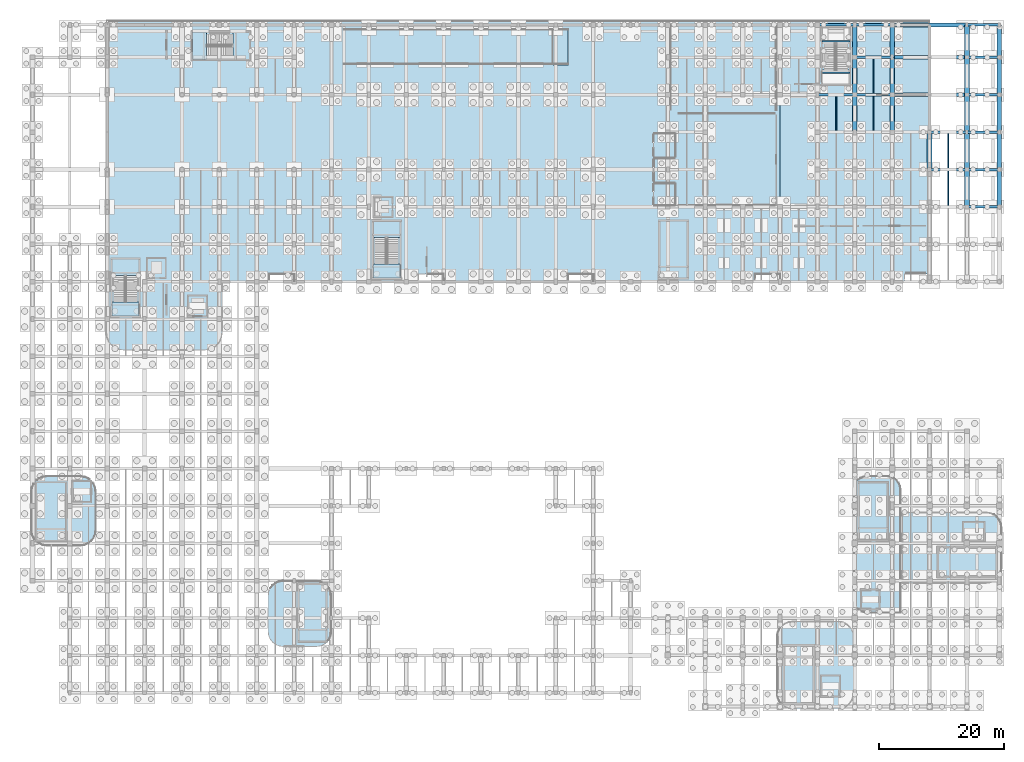
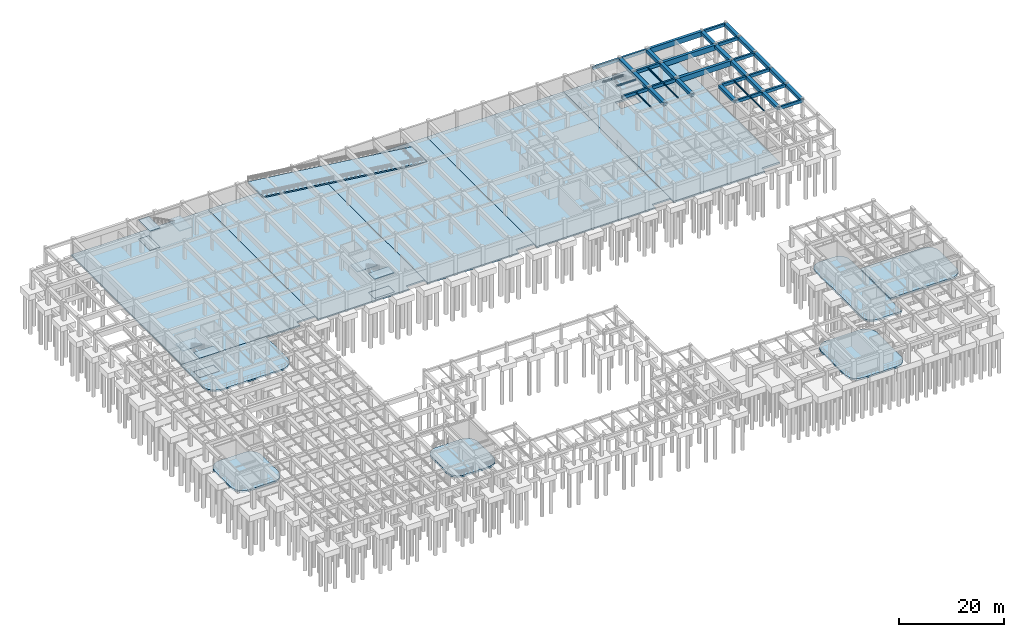
# One storey, part 16 of 32: 40 beams, 21 slabs, 3 elements without a shape of their own.
"""IFC4 building model written with IfcOpenShell, lengths in metres."""

from ifc_helpers import new_model, si_unit, direction, frame, origin, origin_2d, place, context, subcontext, project, spatial, polyline, rectangle, i_section, outline, extrude, material, layer, layer_set, material_profile, profile_set, type_object, element, aggregate, save


model = new_model("IFC4")

# Units and contexts
model_context = context("Model", 3, precision=1e-05, world=origin(), true_north=direction((0.0, 1.0)))
body_context = subcontext(model_context, "Body", "Model", "MODEL_VIEW")
ifc_project = project(units=[si_unit("LENGTHUNIT", "METRE"), si_unit("AREAUNIT", "SQUARE_METRE"), si_unit("VOLUMEUNIT", "CUBIC_METRE"), si_unit("PLANEANGLEUNIT", "RADIAN"), si_unit("MASSUNIT", "GRAM", prefix="KILO")], contexts=[model_context])

# Site, building, storey
site_placement = place(None, origin())
site = spatial("IfcSite", under=ifc_project, at=site_placement, CompositionType="ELEMENT")
building_placement = place(site_placement, origin())
building = spatial("IfcBuilding", under=site, at=building_placement, Name="Varnakota Square Police Headquarters", CompositionType="ELEMENT")
storey_placement = place(building_placement, frame((0.0, 0.0, -4.5)))
storey = spatial("IfcBuildingStorey", under=building, at=storey_placement, Name="B1", CompositionType="ELEMENT", Elevation=-4.5)

# Beams
ifc_material_1 = material(Name="Steel IS 2062 Grade 350", Category="steel")
ifc_material_profile_1 = material_profile(ifc_material_1, i_section(OverallWidth=0.25, OverallDepth=0.300048828125, WebThickness=0.009521484375, FlangeThickness=0.010498046875, FilletRadius=0.011962890625, at=origin_2d()), Name="ISHB 300")
ifc_profile_set_1 = profile_set([ifc_material_profile_1], Name="Steel IS 2062 Grade 350")
beam_type_1 = type_object("IfcBeamType", Name="BM-ISHB300", PredefinedType="BEAM", material=ifc_profile_set_1)
for number, where, z_axis, x_axis, name in (
    (1, (132.699951171875, 107.6005859375, 1.94189453125), (1.0, 0.0, 0.0), (0.0, 1.0, 0.0), "Stair landing support beam BM-LND-0087"),
    (2, (132.699951171875, 102.5, 4.10009765625), (1.0, 0.0, 0.0), (0.0, 1.0, 0.0), "Stair landing support beam BM-LND-0088"),
):
    element("IfcBeam", number, at=place(storey_placement, frame(where, z_axis=z_axis, x_axis=x_axis)), inside=storey, type_object=beam_type_1, Name=name, PredefinedType="BEAM", context=body_context, shape_type="SweptSolid", body=[
        extrude(i_section(OverallWidth=0.25, OverallDepth=0.300048828125, WebThickness=0.009521484375, FlangeThickness=0.010498046875, FilletRadius=0.011962890625, at=origin_2d()), origin(), (0.0, 0.0, 1.0), 4.5),
    ])
ifc_material_profile_2 = material_profile(ifc_material_1, i_section(OverallWidth=0.139892578125, OverallDepth=0.300048828125, WebThickness=0.0078125, FlangeThickness=0.01318359375, FilletRadius=0.013916015625, at=origin_2d()), Name="ISMB 300")
ifc_profile_set_2 = profile_set([ifc_material_profile_2], Name="Steel IS 2062 Grade 350")
beam_type_2 = type_object("IfcBeamType", Name="BM-ISMB300", PredefinedType="JOIST", material=ifc_profile_set_2)
for number, where, z_axis, x_axis, name in (
    (3, (141.0, 93.197998046875, 4.050048828125), (0.0, 1.0, 0.0), (-1.0, 0.0, 0.0), "BMG-B1-0665"),
    (4, (153.0, 81.197998046875, 4.050048828125), (0.0, 1.0, 0.0), (-1.0, 0.0, 0.0), "BMG-B1-0684"),
):
    element("IfcBeam", number, at=place(storey_placement, frame(where, z_axis=z_axis, x_axis=x_axis)), inside=storey, type_object=beam_type_2, Name=name, PredefinedType="JOIST", context=body_context, shape_type="SweptSolid", body=[
        extrude(i_section(OverallWidth=0.139892578125, OverallDepth=0.300048828125, WebThickness=0.0078125, FlangeThickness=0.01318359375, FilletRadius=0.013916015625, at=origin_2d()), origin(), (0.0, 0.0, 1.0), 5.60400390625),
    ])
ifc_material_profile_3 = material_profile(ifc_material_1, i_section(OverallWidth=0.139892578125, OverallDepth=0.35009765625, WebThickness=0.008056640625, FlangeThickness=0.01416015625, FilletRadius=0.013916015625, at=origin_2d()), Name="ISMB 350")
ifc_profile_set_3 = profile_set([ifc_material_profile_3], Name="Steel IS 2062 Grade 350")
beam_type_3 = type_object("IfcBeamType", Name="BM-ISMB350", PredefinedType="JOIST", material=ifc_profile_set_3)
beam_1_placement = place(storey_placement, frame((135.0, 93.197998046875, 4.02490234375), z_axis=(0.0, 1.0, 0.0), x_axis=(-1.0, 0.0, 0.0)))
element("IfcBeam", 5, at=beam_1_placement, inside=storey, type_object=beam_type_3, Name="BMG-B1-0657", PredefinedType="JOIST", context=body_context, shape_type="SweptSolid", body=[
    extrude(i_section(OverallWidth=0.139892578125, OverallDepth=0.35009765625, WebThickness=0.008056640625, FlangeThickness=0.01416015625, FilletRadius=0.013916015625, at=origin_2d()), origin(), (0.0, 0.0, 1.0), 5.60400390625),
])
ifc_material_profile_4 = material_profile(ifc_material_1, i_section(OverallWidth=0.139892578125, OverallDepth=0.39990234375, WebThickness=0.0087890625, FlangeThickness=0.01611328125, FilletRadius=0.013916015625, at=origin_2d()), Name="ISMB 400")
ifc_profile_set_4 = profile_set([ifc_material_profile_4], Name="Steel IS 2062 Grade 350")
beam_type_4 = type_object("IfcBeamType", Name="BM-ISMB400", PredefinedType="JOIST", material=ifc_profile_set_4)
for number, where, z_axis, x_axis, name in (
    (6, (141.0, 99.197998046875, 4.0), (0.0, 1.0, 0.0), (-1.0, 0.0, 0.0), "BMG-B1-0666"),
    (7, (153.0, 87.197998046875, 4.0), (0.0, 1.0, 0.0), (-1.0, 0.0, 0.0), "BMG-B1-0685"),
):
    element("IfcBeam", number, at=place(storey_placement, frame(where, z_axis=z_axis, x_axis=x_axis)), inside=storey, type_object=beam_type_4, Name=name, PredefinedType="JOIST", context=body_context, shape_type="SweptSolid", body=[
        extrude(i_section(OverallWidth=0.139892578125, OverallDepth=0.39990234375, WebThickness=0.0087890625, FlangeThickness=0.01611328125, FilletRadius=0.013916015625, at=origin_2d()), origin(), (0.0, 0.0, 1.0), 5.60400390625),
    ])
ifc_material_2 = material(Name="Concrete M40", Category="concrete")
ifc_material_profile_5 = material_profile(ifc_material_2, rectangle(XDim=0.39990234375, YDim=0.699951171875, at=origin_2d()), Name="RC 400x700")
ifc_profile_set_5 = profile_set([ifc_material_profile_5], Name="Concrete M40")
beam_type_5 = type_object("IfcBeamType", Name="BM-RC400x700", PredefinedType="BEAM", material=ifc_profile_set_5)
beam_2_placement = place(storey_placement, frame((156.0, 81.0, 3.85009765625), z_axis=(1.0, 0.0, 0.0), x_axis=(0.0, 1.0, 0.0)))
element("IfcBeam", 8, at=beam_2_placement, inside=storey, type_object=beam_type_5, Name="BMG-B1-0200", PredefinedType="BEAM", context=body_context, shape_type="SweptSolid", body=[
    extrude(rectangle(XDim=0.39990234375, YDim=0.699951171875, at=origin_2d()), origin(), (0.0, 0.0, 1.0), 5.199951171875),
])
beam_3_placement = place(storey_placement, frame((150.0, 87.0, 3.85009765625), z_axis=(1.0, 0.0, 0.0), x_axis=(0.0, 1.0, 0.0)))
element("IfcBeam", 9, at=beam_3_placement, inside=storey, type_object=beam_type_5, Name="BMG-B1-0219", PredefinedType="BEAM", context=body_context, shape_type="SweptSolid", body=[
    extrude(rectangle(XDim=0.39990234375, YDim=0.699951171875, at=origin_2d()), origin(), (0.0, 0.0, 1.0), 6.0),
])
beam_4_placement = place(storey_placement, frame((156.0, 87.0, 3.85009765625), z_axis=(1.0, 0.0, 0.0), x_axis=(0.0, 1.0, 0.0)))
element("IfcBeam", 10, at=beam_4_placement, inside=storey, type_object=beam_type_5, Name="BMG-B1-0220", PredefinedType="BEAM", context=body_context, shape_type="SweptSolid", body=[
    extrude(rectangle(XDim=0.39990234375, YDim=0.699951171875, at=origin_2d()), origin(), (0.0, 0.0, 1.0), 5.199951171875),
])
beam_5_placement = place(storey_placement, frame((150.0, 93.0, 3.85009765625), z_axis=(1.0, 0.0, 0.0), x_axis=(0.0, 1.0, 0.0)))
element("IfcBeam", 11, at=beam_5_placement, inside=storey, type_object=beam_type_5, Name="BMG-B1-0225", PredefinedType="BEAM", context=body_context, shape_type="SweptSolid", body=[
    extrude(rectangle(XDim=0.39990234375, YDim=0.699951171875, at=origin_2d()), origin(), (0.0, 0.0, 1.0), 6.0),
])
beam_6_placement = place(storey_placement, frame((156.0, 93.0, 3.85009765625), z_axis=(1.0, 0.0, 0.0), x_axis=(0.0, 1.0, 0.0)))
element("IfcBeam", 12, at=beam_6_placement, inside=storey, type_object=beam_type_5, Name="BMG-B1-0226", PredefinedType="BEAM", context=body_context, shape_type="SweptSolid", body=[
    extrude(rectangle(XDim=0.39990234375, YDim=0.699951171875, at=origin_2d()), origin(), (0.0, 0.0, 1.0), 5.199951171875),
])
for number, where, z_axis, x_axis, name in (
    (13, (132.0, 99.0, 3.85009765625), (1.0, 0.0, 0.0), (0.0, 1.0, 0.0), "BMG-B1-0245"),
    (14, (138.0, 99.0, 3.85009765625), (1.0, 0.0, 0.0), (0.0, 1.0, 0.0), "BMG-B1-0246"),
):
    element("IfcBeam", number, at=place(storey_placement, frame(where, z_axis=z_axis, x_axis=x_axis)), inside=storey, type_object=beam_type_5, Name=name, PredefinedType="BEAM", context=body_context, shape_type="SweptSolid", body=[
        extrude(rectangle(XDim=0.39990234375, YDim=0.699951171875, at=origin_2d()), origin(), (0.0, 0.0, 1.0), 6.0),
    ])
beam_7_placement = place(storey_placement, frame((156.0, 99.0, 3.85009765625), z_axis=(1.0, 0.0, 0.0), x_axis=(0.0, 1.0, 0.0)))
element("IfcBeam", 15, at=beam_7_placement, inside=storey, type_object=beam_type_5, Name="BMG-B1-0248", PredefinedType="BEAM", context=body_context, shape_type="SweptSolid", body=[
    extrude(rectangle(XDim=0.39990234375, YDim=0.699951171875, at=origin_2d()), origin(), (0.0, 0.0, 1.0), 5.199951171875),
])
beam_8_placement = place(storey_placement, frame((138.0, 105.0, 3.85009765625), z_axis=(1.0, 0.0, 0.0), x_axis=(0.0, 1.0, 0.0)))
element("IfcBeam", 16, at=beam_8_placement, inside=storey, type_object=beam_type_5, Name="BMG-B1-0257", PredefinedType="BEAM", context=body_context, shape_type="SweptSolid", body=[
    extrude(rectangle(XDim=0.39990234375, YDim=0.699951171875, at=origin_2d()), origin(), (0.0, 0.0, 1.0), 6.0),
])
beam_9_placement = place(storey_placement, frame((156.0, 105.0, 3.85009765625), z_axis=(1.0, 0.0, 0.0), x_axis=(0.0, 1.0, 0.0)))
element("IfcBeam", 17, at=beam_9_placement, inside=storey, type_object=beam_type_5, Name="BMG-B1-0259", PredefinedType="BEAM", context=body_context, shape_type="SweptSolid", body=[
    extrude(rectangle(XDim=0.39990234375, YDim=0.699951171875, at=origin_2d()), origin(), (0.0, 0.0, 1.0), 5.199951171875),
])
for number, where, z_axis, x_axis, name in (
    (18, (132.0, 110.199951171875, 3.85009765625), (1.0, 0.0, 0.0), (0.0, 1.0, 0.0), "BMG-B1-0279"),
    (19, (138.0, 110.199951171875, 3.85009765625), (1.0, 0.0, 0.0), (0.0, 1.0, 0.0), "BMG-B1-0280"),
):
    element("IfcBeam", number, at=place(storey_placement, frame(where, z_axis=z_axis, x_axis=x_axis)), inside=storey, type_object=beam_type_5, Name=name, PredefinedType="BEAM", context=body_context, shape_type="SweptSolid", body=[
        extrude(rectangle(XDim=0.39990234375, YDim=0.699951171875, at=origin_2d()), origin(), (0.0, 0.0, 1.0), 6.0),
    ])
beam_10_placement = place(storey_placement, frame((156.0, 110.199951171875, 3.85009765625), z_axis=(1.0, 0.0, 0.0), x_axis=(0.0, 1.0, 0.0)))
element("IfcBeam", 20, at=beam_10_placement, inside=storey, type_object=beam_type_5, Name="BMG-B1-0282", PredefinedType="BEAM", context=body_context, shape_type="SweptSolid", body=[
    extrude(rectangle(XDim=0.39990234375, YDim=0.699951171875, at=origin_2d()), origin(), (0.0, 0.0, 1.0), 5.199951171875),
])
ifc_material_3 = material(Name="Concrete M50", Category="concrete")
ifc_material_profile_6 = material_profile(ifc_material_3, rectangle(XDim=0.60009765625, YDim=1.199951171875, at=origin_2d()), Name="RC 600x1200")
ifc_profile_set_6 = profile_set([ifc_material_profile_6], Name="Concrete M50")
beam_type_6 = type_object("IfcBeamType", Name="BM-RC600x1200", PredefinedType="BEAM", material=ifc_profile_set_6)
for number, where, z_axis, x_axis, name in (
    (21, (144.0, 99.0, 3.60009765625), (1.0, 0.0, 0.0), (0.0, 1.0, 0.0), "BMG-B1-0247"),
    (22, (144.0, 105.0, 3.60009765625), (1.0, 0.0, 0.0), (0.0, 1.0, 0.0), "BMG-B1-0258"),
    (23, (144.0, 110.199951171875, 3.60009765625), (1.0, 0.0, 0.0), (0.0, 1.0, 0.0), "BMG-B1-0281"),
):
    element("IfcBeam", number, at=place(storey_placement, frame(where, z_axis=z_axis, x_axis=x_axis)), inside=storey, type_object=beam_type_6, Name=name, PredefinedType="BEAM", context=body_context, shape_type="SweptSolid", body=[
        extrude(rectangle(XDim=0.60009765625, YDim=1.199951171875, at=origin_2d()), origin(), (0.0, 0.0, 1.0), 12.0),
    ])
ifc_material_profile_7 = material_profile(ifc_material_3, rectangle(XDim=0.75, YDim=0.75, at=origin_2d()), Name="RC 750x750")
ifc_profile_set_7 = profile_set([ifc_material_profile_7], Name="Concrete M50")
beam_type_7 = type_object("IfcBeamType", Name="BM-RC750x750", PredefinedType="BEAM", material=ifc_profile_set_7)
for number, where, z_axis, x_axis, name in (
    (24, (138.0, 93.0, 3.824951171875), (0.0, 1.0, 0.0), (-1.0, 0.0, 0.0), "BMG-B1-0498"),
    (25, (138.0, 99.0, 3.824951171875), (0.0, 1.0, 0.0), (-1.0, 0.0, 0.0), "BMG-B1-0499"),
):
    element("IfcBeam", number, at=place(storey_placement, frame(where, z_axis=z_axis, x_axis=x_axis)), inside=storey, type_object=beam_type_7, Name=name, PredefinedType="BEAM", context=body_context, shape_type="SweptSolid", body=[
        extrude(rectangle(XDim=0.75, YDim=0.75, at=origin_2d()), origin(), (0.0, 0.0, 1.0), 6.0),
    ])
beam_11_placement = place(storey_placement, frame((138.0, 105.0, 3.824951171875), z_axis=(0.0, 1.0, 0.0), x_axis=(-1.0, 0.0, 0.0)))
element("IfcBeam", 26, at=beam_11_placement, inside=storey, type_object=beam_type_7, Name="BMG-B1-0500", PredefinedType="BEAM", context=body_context, shape_type="SweptSolid", body=[
    extrude(rectangle(XDim=0.75, YDim=0.75, at=origin_2d()), origin(), (0.0, 0.0, 1.0), 5.199951171875),
])
for number, where, z_axis, x_axis, name in (
    (27, (144.0, 93.0, 3.824951171875), (0.0, 1.0, 0.0), (-1.0, 0.0, 0.0), "BMG-B1-0512"),
    (28, (144.0, 99.0, 3.824951171875), (0.0, 1.0, 0.0), (-1.0, 0.0, 0.0), "BMG-B1-0513"),
):
    element("IfcBeam", number, at=place(storey_placement, frame(where, z_axis=z_axis, x_axis=x_axis)), inside=storey, type_object=beam_type_7, Name=name, PredefinedType="BEAM", context=body_context, shape_type="SweptSolid", body=[
        extrude(rectangle(XDim=0.75, YDim=0.75, at=origin_2d()), origin(), (0.0, 0.0, 1.0), 6.0),
    ])
beam_12_placement = place(storey_placement, frame((144.0, 105.0, 3.824951171875), z_axis=(0.0, 1.0, 0.0), x_axis=(-1.0, 0.0, 0.0)))
element("IfcBeam", 29, at=beam_12_placement, inside=storey, type_object=beam_type_7, Name="BMG-B1-0514", PredefinedType="BEAM", context=body_context, shape_type="SweptSolid", body=[
    extrude(rectangle(XDim=0.75, YDim=0.75, at=origin_2d()), origin(), (0.0, 0.0, 1.0), 5.199951171875),
])
for number, where, z_axis, x_axis, name in (
    (30, (150.0, 87.0, 3.824951171875), (0.0, 1.0, 0.0), (-1.0, 0.0, 0.0), "BMG-B1-0525"),
    (31, (156.0, 81.0, 3.824951171875), (0.0, 1.0, 0.0), (-1.0, 0.0, 0.0), "BMG-B1-0533"),
    (32, (156.0, 87.0, 3.824951171875), (0.0, 1.0, 0.0), (-1.0, 0.0, 0.0), "BMG-B1-0534"),
    (33, (156.0, 93.0, 3.824951171875), (0.0, 1.0, 0.0), (-1.0, 0.0, 0.0), "BMG-B1-0535"),
    (34, (156.0, 99.0, 3.824951171875), (0.0, 1.0, 0.0), (-1.0, 0.0, 0.0), "BMG-B1-0536"),
):
    element("IfcBeam", number, at=place(storey_placement, frame(where, z_axis=z_axis, x_axis=x_axis)), inside=storey, type_object=beam_type_7, Name=name, PredefinedType="BEAM", context=body_context, shape_type="SweptSolid", body=[
        extrude(rectangle(XDim=0.75, YDim=0.75, at=origin_2d()), origin(), (0.0, 0.0, 1.0), 6.0),
    ])
beam_13_placement = place(storey_placement, frame((156.0, 105.0, 3.824951171875), z_axis=(0.0, 1.0, 0.0), x_axis=(-1.0, 0.0, 0.0)))
element("IfcBeam", 35, at=beam_13_placement, inside=storey, type_object=beam_type_7, Name="BMG-B1-0537", PredefinedType="BEAM", context=body_context, shape_type="SweptSolid", body=[
    extrude(rectangle(XDim=0.75, YDim=0.75, at=origin_2d()), origin(), (0.0, 0.0, 1.0), 5.199951171875),
])
for number, where, z_axis, x_axis, name in (
    (36, (161.199951171875, 81.0, 3.824951171875), (0.0, 1.0, 0.0), (-1.0, 0.0, 0.0), "BMG-B1-0545"),
    (37, (161.199951171875, 87.0, 3.824951171875), (0.0, 1.0, 0.0), (-1.0, 0.0, 0.0), "BMG-B1-0546"),
    (38, (161.199951171875, 93.0, 3.824951171875), (0.0, 1.0, 0.0), (-1.0, 0.0, 0.0), "BMG-B1-0547"),
    (39, (161.199951171875, 99.0, 3.824951171875), (0.0, 1.0, 0.0), (-1.0, 0.0, 0.0), "BMG-B1-0548"),
):
    element("IfcBeam", number, at=place(storey_placement, frame(where, z_axis=z_axis, x_axis=x_axis)), inside=storey, type_object=beam_type_7, Name=name, PredefinedType="BEAM", context=body_context, shape_type="SweptSolid", body=[
        extrude(rectangle(XDim=0.75, YDim=0.75, at=origin_2d()), origin(), (0.0, 0.0, 1.0), 6.0),
    ])
beam_14_placement = place(storey_placement, frame((161.199951171875, 105.0, 3.824951171875), z_axis=(0.0, 1.0, 0.0), x_axis=(-1.0, 0.0, 0.0)))
element("IfcBeam", 40, at=beam_14_placement, inside=storey, type_object=beam_type_7, Name="BMG-B1-0549", PredefinedType="BEAM", context=body_context, shape_type="SweptSolid", body=[
    extrude(rectangle(XDim=0.75, YDim=0.75, at=origin_2d()), origin(), (0.0, 0.0, 1.0), 5.199951171875),
])

# Slabs
ifc_layer_1 = layer(ifc_material_2, 0.35009765625, Name="Concrete M40")
ifc_layer_set_1 = layer_set([ifc_layer_1], Name="Concrete M40")
slab_type_1 = type_object("IfcSlabType", Name="SL-BASE-350", PredefinedType="BASESLAB", material=ifc_layer_set_1)
slab_1_placement = place(storey_placement, frame((0.0, 0.0, -0.35009765625)))
element("IfcSlab", 41, at=slab_1_placement, inside=storey, type_object=slab_type_1, Name="Basement base slab SL-B1-Z1", PredefinedType="BASESLAB", context=body_context, shape_type="SweptSolid", body=[
    extrude(outline(polyline([(18.0, 69.0), (44.0, 69.0), (44.0, 70.199951171875), (48.0, 70.199951171875), (48.0, 111.0), (18.0, 111.0), (18.0, 69.0)]), holes=[polyline([(31.655029296875, 104.655029296875), (33.955078125, 104.655029296875), (33.955078125, 109.044921875), (31.655029296875, 109.044921875), (31.655029296875, 104.655029296875)])]), origin(), (0.0, 0.0, 1.0), 0.35009765625),
])
slab_2_placement = place(storey_placement, frame((0.0, 0.0, -0.35009765625)))
element("IfcSlab", 42, at=slab_2_placement, inside=storey, type_object=slab_type_1, Name="Basement base slab SL-B1-Z2", PredefinedType="BASESLAB", context=body_context, shape_type="SweptSolid", body=[
    extrude(outline(polyline([(48.0, 69.0), (68.0, 69.0), (68.0, 70.199951171875), (72.0, 70.199951171875), (72.0, 111.0), (48.0, 111.0), (48.0, 69.0)]), holes=[polyline([(60.655029296875, 69.554931640625), (65.044921875, 69.554931640625), (65.044921875, 71.85498046875), (60.655029296875, 71.85498046875), (60.655029296875, 69.554931640625)])]), origin(), (0.0, 0.0, 1.0), 0.35009765625),
])
slab_3_placement = place(storey_placement, frame((0.0, 0.0, -0.35009765625)))
element("IfcSlab", 43, at=slab_3_placement, inside=storey, type_object=slab_type_1, Name="Basement base slab SL-B1-Z3", PredefinedType="BASESLAB", context=body_context, shape_type="SweptSolid", body=[
    extrude(outline(polyline([(72.0, 69.0), (92.0, 69.0), (92.0, 70.199951171875), (96.0, 70.199951171875), (96.0, 111.0), (72.0, 111.0), (72.0, 69.0)]), holes=[polyline([(89.550048828125, 103.800048828125), (92.02001953125, 103.800048828125), (92.02001953125, 109.60009765625), (89.550048828125, 109.60009765625), (89.550048828125, 103.800048828125)])]), origin(), (0.0, 0.0, 1.0), 0.35009765625),
])
slab_4_placement = place(storey_placement, frame((0.0, 0.0, -0.35009765625)))
element("IfcSlab", 44, at=slab_4_placement, inside=storey, type_object=slab_type_1, Name="Basement base slab SL-B1-Z4", PredefinedType="BASESLAB", context=body_context, shape_type="SweptSolid", body=[
    extrude(outline(polyline([(96.0, 69.0), (122.0, 69.0), (122.0, 70.199951171875), (126.0, 70.199951171875), (126.0, 111.0), (96.0, 111.0), (96.0, 69.0)])), origin(), (0.0, 0.0, 1.0), 0.35009765625),
])
slab_5_placement = place(storey_placement, frame((0.0, 0.0, -0.35009765625)))
element("IfcSlab", 45, at=slab_5_placement, inside=storey, type_object=slab_type_1, Name="Basement Core C5 and Goods Lift base slab", PredefinedType="BASESLAB", context=body_context, shape_type="SweptSolid", body=[
    extrude(outline(polyline([(17.800048828125, 60.800048828125), (17.8955078125, 60.0751953125), (18.175048828125, 59.39990234375), (18.6201171875, 58.820068359375), (19.199951171875, 58.375), (19.875244140625, 58.095458984375), (20.60009765625, 58.0), (33.699951171875, 58.0), (34.4248046875, 58.095458984375), (35.10009765625, 58.375), (35.679931640625, 58.820068359375), (36.125, 59.39990234375), (36.404541015625, 60.0751953125), (36.5, 60.800048828125), (36.5, 69.0), (17.800048828125, 69.0), (17.800048828125, 60.800048828125)]), holes=[polyline([(18.7548828125, 63.455078125), (23.14501953125, 63.455078125), (23.14501953125, 65.7548828125), (18.7548828125, 65.7548828125), (18.7548828125, 63.455078125)])]), origin(), (0.0, 0.0, 1.0), 0.35009765625),
])
ifc_layer_2 = layer(ifc_material_3, 0.39990234375, Name="Concrete M50")
ifc_layer_set_2 = layer_set([ifc_layer_2], Name="Concrete M50")
slab_type_2 = type_object("IfcSlabType", Name="SL-BASE-400", PredefinedType="BASESLAB", material=ifc_layer_set_2)
slab_6_placement = place(storey_placement, frame((0.0, 0.0, -0.39990234375)))
element("IfcSlab", 46, at=slab_6_placement, inside=storey, type_object=slab_type_2, Name="Basement base slab SL-B1-Z5", PredefinedType="BASESLAB", context=body_context, shape_type="SweptSolid", body=[
    extrude(outline(polyline([(126.0, 69.0), (146.0, 69.0), (146.0, 70.199951171875), (150.0, 70.199951171875), (150.0, 111.0), (126.0, 111.0), (126.0, 69.0)]), holes=[polyline([(132.7548828125, 100.655029296875), (137.14501953125, 100.655029296875), (137.14501953125, 102.955078125), (132.7548828125, 102.955078125), (132.7548828125, 100.655029296875)])]), origin(), (0.0, 0.0, 1.0), 0.39990234375),
])
slab_7_placement = place(storey_placement, frame((0.0, 0.0, -0.39990234375)))
element("IfcSlab", 47, at=slab_7_placement, inside=storey, type_object=slab_type_2, Name="Basement Core C1 foundation slab", PredefinedType="BASESLAB", context=body_context, shape_type="SweptSolid", body=[
    extrude(outline(polyline([(125.5, 2.89990234375), (125.585205078125, 2.2529296875), (125.8349609375, 1.64990234375), (126.232177734375, 1.132080078125), (126.75, 0.73486328125), (127.35302734375, 0.485107421875), (128.0, 0.39990234375), (135.300048828125, 0.39990234375), (135.947021484375, 0.485107421875), (136.550048828125, 0.73486328125), (137.06787109375, 1.132080078125), (137.465087890625, 1.64990234375), (137.71484375, 2.2529296875), (137.800048828125, 2.89990234375), (137.800048828125, 12.0), (137.71484375, 12.64697265625), (137.465087890625, 13.25), (137.06787109375, 13.767822265625), (136.550048828125, 14.1650390625), (135.947021484375, 14.414794921875), (135.300048828125, 14.5), (128.0, 14.5), (127.35302734375, 14.414794921875), (126.75, 14.1650390625), (126.232177734375, 13.767822265625), (125.8349609375, 13.25), (125.585205078125, 12.64697265625), (125.5, 12.0), (125.5, 2.89990234375)])), origin(), (0.0, 0.0, 1.0), 0.39990234375),
])
slab_8_placement = place(storey_placement, frame((0.0, 0.0, -0.39990234375)))
element("IfcSlab", 48, at=slab_8_placement, inside=storey, type_object=slab_type_2, Name="Basement Core C2 foundation slab", PredefinedType="BASESLAB", context=body_context, shape_type="SweptSolid", body=[
    extrude(outline(polyline([(145.60009765625, 20.60009765625), (159.10009765625, 20.60009765625), (159.7470703125, 20.685302734375), (160.35009765625, 20.934814453125), (160.867919921875, 21.332275390625), (161.26513671875, 21.85009765625), (161.514892578125, 22.452880859375), (161.60009765625, 23.10009765625), (161.60009765625, 29.5), (161.514892578125, 30.14697265625), (161.26513671875, 30.75), (160.867919921875, 31.267822265625), (160.35009765625, 31.6650390625), (159.7470703125, 31.914794921875), (159.10009765625, 32.0), (145.60009765625, 32.0), (145.60009765625, 20.60009765625)])), origin(), (0.0, 0.0, 1.0), 0.39990234375),
])
slab_9_placement = place(storey_placement, frame((0.0, 0.0, -0.39990234375)))
element("IfcSlab", 49, at=slab_9_placement, inside=storey, type_object=slab_type_2, Name="Basement Core C3 and Lift LF-P1 foundation slab", PredefinedType="BASESLAB", context=body_context, shape_type="SweptSolid", body=[
    extrude(outline(polyline([(137.800048828125, 18.0), (137.875, 17.4306640625), (138.0947265625, 16.89990234375), (138.4443359375, 16.4443359375), (138.89990234375, 16.0947265625), (139.4306640625, 15.875), (140.0, 15.800048828125), (145.39990234375, 15.800048828125), (145.39990234375, 35.60009765625), (145.324951171875, 36.16943359375), (145.105224609375, 36.699951171875), (144.755615234375, 37.155517578125), (144.300048828125, 37.50537109375), (143.769287109375, 37.72509765625), (143.199951171875, 37.800048828125), (140.0, 37.800048828125), (139.4306640625, 37.72509765625), (138.89990234375, 37.50537109375), (138.4443359375, 37.155517578125), (138.0947265625, 36.699951171875), (137.875, 36.16943359375), (137.800048828125, 35.60009765625), (137.800048828125, 18.0)])), origin(), (0.0, 0.0, 1.0), 0.39990234375),
])
slab_10_placement = place(storey_placement, frame((0.0, 0.0, -0.39990234375)))
element("IfcSlab", 50, at=slab_10_placement, inside=storey, type_object=slab_type_2, Name="Basement Core C4 and Lift LF-P2 foundation slab", PredefinedType="BASESLAB", context=body_context, shape_type="SweptSolid", body=[
    extrude(outline(polyline([(5.800048828125, 29.10009765625), (5.88525390625, 28.452880859375), (6.135009765625, 27.85009765625), (6.5322265625, 27.332275390625), (7.050048828125, 26.934814453125), (7.653076171875, 26.685302734375), (8.300048828125, 26.60009765625), (13.699951171875, 26.60009765625), (14.346923828125, 26.685302734375), (14.949951171875, 26.934814453125), (15.4677734375, 27.332275390625), (15.864990234375, 27.85009765625), (16.11474609375, 28.452880859375), (16.199951171875, 29.10009765625), (16.199951171875, 35.300048828125), (16.11474609375, 35.947021484375), (15.864990234375, 36.550048828125), (15.4677734375, 37.06787109375), (14.949951171875, 37.465087890625), (14.346923828125, 37.71484375), (13.699951171875, 37.800048828125), (8.300048828125, 37.800048828125), (7.653076171875, 37.71484375), (7.050048828125, 37.465087890625), (6.5322265625, 37.06787109375), (6.135009765625, 36.550048828125), (5.88525390625, 35.947021484375), (5.800048828125, 35.300048828125), (5.800048828125, 29.10009765625)])), origin(), (0.0, 0.0, 1.0), 0.39990234375),
])
slab_11_placement = place(storey_placement, frame((0.0, 0.0, -0.39990234375)))
element("IfcSlab", 51, at=slab_11_placement, inside=storey, type_object=slab_type_2, Name="Basement Core C10 foundation slab", PredefinedType="BASESLAB", context=body_context, shape_type="SweptSolid", body=[
    extrude(outline(polyline([(43.800048828125, 12.800048828125), (43.8818359375, 12.1787109375), (44.12158203125, 11.60009765625), (44.5029296875, 11.102783203125), (45.0, 10.721435546875), (45.578857421875, 10.481689453125), (46.199951171875, 10.39990234375), (51.60009765625, 10.39990234375), (52.22119140625, 10.481689453125), (52.800048828125, 10.721435546875), (53.297119140625, 11.102783203125), (53.678466796875, 11.60009765625), (53.918212890625, 12.1787109375), (54.0, 12.800048828125), (54.0, 18.60009765625), (53.918212890625, 19.22119140625), (53.678466796875, 19.800048828125), (53.297119140625, 20.297119140625), (52.800048828125, 20.678466796875), (52.22119140625, 20.918212890625), (51.60009765625, 21.0), (46.199951171875, 21.0), (45.578857421875, 20.918212890625), (45.0, 20.678466796875), (44.5029296875, 20.297119140625), (44.12158203125, 19.800048828125), (43.8818359375, 19.22119140625), (43.800048828125, 18.60009765625), (43.800048828125, 12.800048828125)])), origin(), (0.0, 0.0, 1.0), 0.39990234375),
])
ifc_layer_3 = layer(ifc_material_2, 0.300048828125, Name="Concrete M40")
ifc_layer_set_3 = layer_set([ifc_layer_3], Name="Concrete M40")
slab_type_3 = type_object("IfcSlabType", Name="SL-RMP-300", PredefinedType="FLOOR", material=ifc_layer_set_3)
slab_12_placement = place(storey_placement, frame((92.0, 103.820068359375, 0.0), z_axis=(0.124034734589, 0.0, 0.992277876714), x_axis=(-0.992277876714, 0.0, 0.124034734589)))
element("IfcSlab", 52, at=slab_12_placement, inside=storey, type_object=slab_type_3, Name="Basement Fleet Two-Way Vehicle Ramp Slab RMP-V1", PredefinedType="FLOOR", context=body_context, shape_type="SweptSolid", body=[
    extrude(outline(polyline([(0.0, 0.0), (36.28015986734348, 0.0), (36.28015986734348, -5.760009765625), (0.0, -5.760009765625), (0.0, 0.0)])), origin(), (0.0, 0.0, -1.0), 0.300048828125),
])

# Stair, slabs
stair_type = type_object("IfcStairType", Name="STR-DOG-1850", PredefinedType="USERDEFINED", material=ifc_material_2)
stair_1_placement = place(storey_placement, origin())
stair_1 = element("IfcStair", 53, at=stair_1_placement, inside=storey, type_object=stair_type, Name="Protected exit stair ST5 (B1)", ObjectType="TWO_RETURN_STAIR", PredefinedType="USERDEFINED")
ifc_layer_4 = layer(ifc_material_2, 0.157958984375, Name="Concrete M40")
ifc_layer_set_4 = layer_set([ifc_layer_4], Name="Concrete M40")
slab_type_4 = type_object("IfcSlabType", Name="SLB-LND-1850", PredefinedType="LANDING", material=ifc_layer_set_4)
slab_13_placement = place(storey_placement, frame((0.0, 0.0, 2.092041015625)))
slab_13 = element("IfcSlab", 54, at=slab_13_placement, type_object=slab_type_4, Name="ST5-B1 landing 1", PredefinedType="LANDING", context=body_context, shape_type="SweptSolid", body=[
    extrude(outline(polyline([(18.760009765625, 69.95068359375), (23.139892578125, 69.95068359375), (23.139892578125, 72.639892578125), (18.760009765625, 72.639892578125), (18.760009765625, 69.95068359375)])), origin(), (0.0, 0.0, 1.0), 0.157958984375),
])
slab_14_placement = place(storey_placement, frame((0.0, 0.0, 4.342041015625)))
slab_14 = element("IfcSlab", 55, at=slab_14_placement, type_object=slab_type_4, Name="ST5-B1 landing 2", PredefinedType="LANDING", context=body_context, shape_type="SweptSolid", body=[
    extrude(outline(polyline([(18.760009765625, 63.4599609375), (23.139892578125, 63.4599609375), (23.139892578125, 65.75), (18.760009765625, 65.75), (18.760009765625, 63.4599609375)])), origin(), (0.0, 0.0, 1.0), 0.157958984375),
])
slab_15_placement = place(storey_placement, frame((0.0, 0.0, -0.157958984375)))
slab_15 = element("IfcSlab", 56, at=slab_15_placement, type_object=slab_type_4, Name="ST5-B1 landing 3", PredefinedType="LANDING", context=body_context, shape_type="SweptSolid", body=[
    extrude(outline(polyline([(18.760009765625, 63.4599609375), (23.139892578125, 63.4599609375), (23.139892578125, 65.75), (18.760009765625, 65.75), (18.760009765625, 63.4599609375)])), origin(), (0.0, 0.0, 1.0), 0.157958984375),
])
aggregate(stair_1, [slab_13, slab_14, slab_15])

stair_2_placement = place(storey_placement, origin())
stair_2 = element("IfcStair", 57, at=stair_2_placement, inside=storey, type_object=stair_type, Name="Protected exit stair ST6 (B1)", ObjectType="TWO_RETURN_STAIR", PredefinedType="USERDEFINED")
slab_16_placement = place(storey_placement, frame((0.0, 0.0, 2.092041015625)))
slab_16 = element("IfcSlab", 58, at=slab_16_placement, type_object=slab_type_4, Name="ST6-B1 landing 1", PredefinedType="LANDING", context=body_context, shape_type="SweptSolid", body=[
    extrude(outline(polyline([(60.659912109375, 76.05078125), (65.0400390625, 76.05078125), (65.0400390625, 78.739990234375), (60.659912109375, 78.739990234375), (60.659912109375, 76.05078125)])), origin(), (0.0, 0.0, 1.0), 0.157958984375),
])
slab_17_placement = place(storey_placement, frame((0.0, 0.0, 4.342041015625)))
slab_17 = element("IfcSlab", 59, at=slab_17_placement, type_object=slab_type_4, Name="ST6-B1 landing 2", PredefinedType="LANDING", context=body_context, shape_type="SweptSolid", body=[
    extrude(outline(polyline([(60.659912109375, 69.56005859375), (65.0400390625, 69.56005859375), (65.0400390625, 71.85009765625), (60.659912109375, 71.85009765625), (60.659912109375, 69.56005859375)])), origin(), (0.0, 0.0, 1.0), 0.157958984375),
])
slab_18_placement = place(storey_placement, frame((0.0, 0.0, -0.157958984375)))
slab_18 = element("IfcSlab", 60, at=slab_18_placement, type_object=slab_type_4, Name="ST6-B1 landing 3", PredefinedType="LANDING", context=body_context, shape_type="SweptSolid", body=[
    extrude(outline(polyline([(60.659912109375, 69.56005859375), (65.0400390625, 69.56005859375), (65.0400390625, 71.85009765625), (60.659912109375, 71.85009765625), (60.659912109375, 69.56005859375)])), origin(), (0.0, 0.0, 1.0), 0.157958984375),
])
aggregate(stair_2, [slab_16, slab_17, slab_18])

stair_3_placement = place(storey_placement, origin())
stair_3 = element("IfcStair", 61, at=stair_3_placement, inside=storey, type_object=stair_type, Name="Protected exit stair ST7 (B1)", ObjectType="TWO_RETURN_STAIR", PredefinedType="USERDEFINED")
slab_19_placement = place(storey_placement, frame((0.0, 0.0, 2.092041015625)))
slab_19 = element("IfcSlab", 62, at=slab_19_placement, type_object=slab_type_4, Name="ST7-B1 landing 1", PredefinedType="LANDING", context=body_context, shape_type="SweptSolid", body=[
    extrude(outline(polyline([(38.150634765625, 104.659912109375), (40.840087890625, 104.659912109375), (40.840087890625, 109.0400390625), (38.150634765625, 109.0400390625), (38.150634765625, 104.659912109375)])), origin(), (0.0, 0.0, 1.0), 0.157958984375),
])
slab_20_placement = place(storey_placement, frame((0.0, 0.0, 4.342041015625)))
slab_20 = element("IfcSlab", 63, at=slab_20_placement, type_object=slab_type_4, Name="ST7-B1 landing 2", PredefinedType="LANDING", context=body_context, shape_type="SweptSolid", body=[
    extrude(outline(polyline([(31.659912109375, 104.659912109375), (33.949951171875, 104.659912109375), (33.949951171875, 109.0400390625), (31.659912109375, 109.0400390625), (31.659912109375, 104.659912109375)])), origin(), (0.0, 0.0, 1.0), 0.157958984375),
])
slab_21_placement = place(storey_placement, frame((0.0, 0.0, -0.157958984375)))
slab_21 = element("IfcSlab", 64, at=slab_21_placement, type_object=slab_type_4, Name="ST7-B1 landing 3", PredefinedType="LANDING", context=body_context, shape_type="SweptSolid", body=[
    extrude(outline(polyline([(31.659912109375, 104.659912109375), (33.949951171875, 104.659912109375), (33.949951171875, 109.0400390625), (31.659912109375, 109.0400390625), (31.659912109375, 104.659912109375)])), origin(), (0.0, 0.0, 1.0), 0.157958984375),
])
aggregate(stair_3, [slab_19, slab_20, slab_21])

save(model, "model.ifc")
